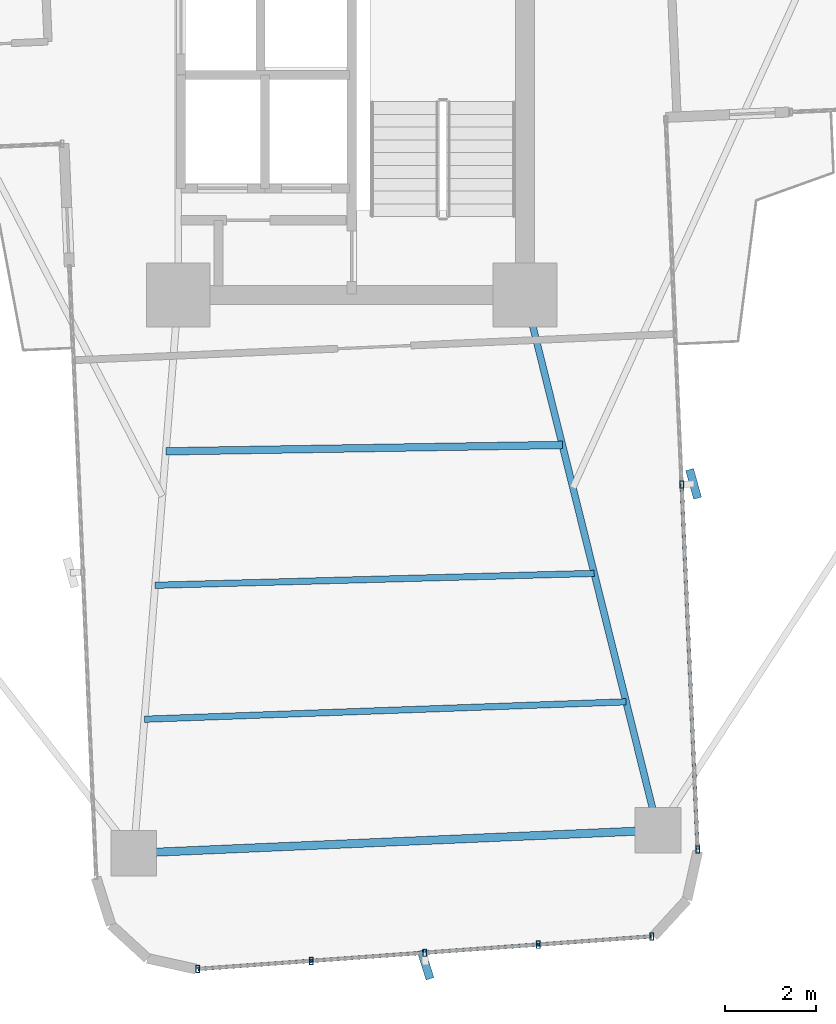
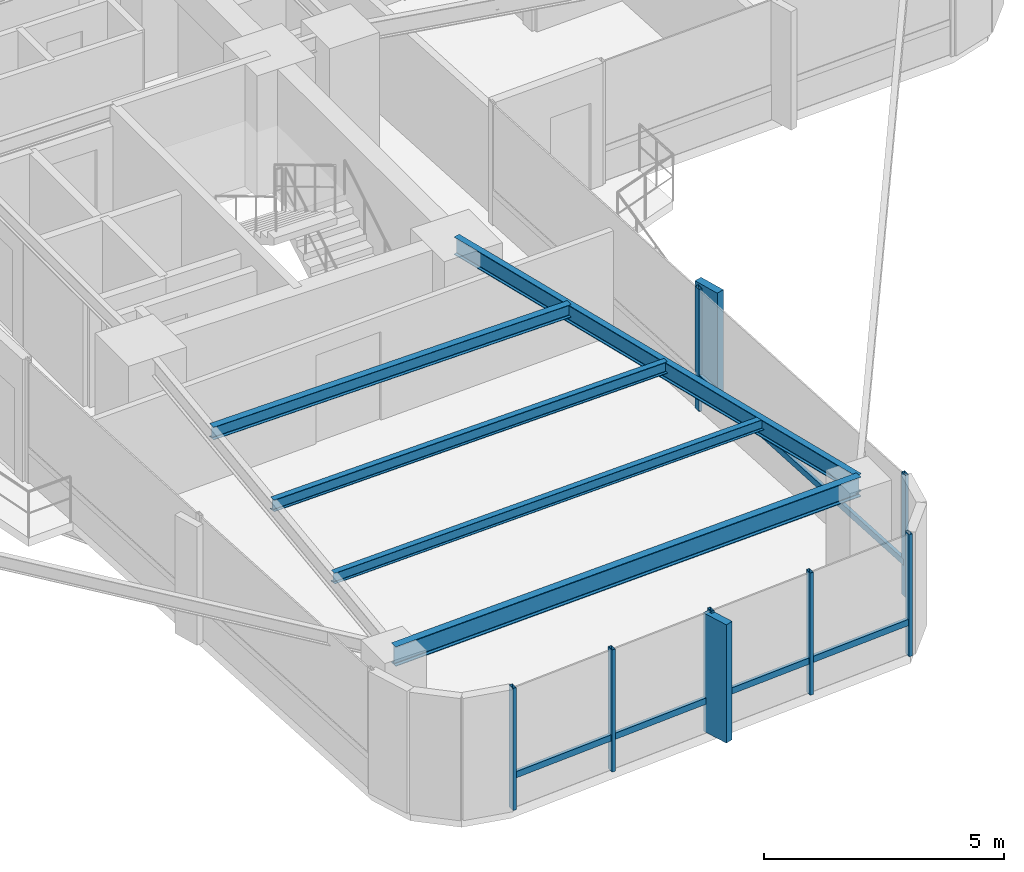
# One storey, part 6 of 26: 14 members, 5 beams, 2 elements without a shape of their own.
"""IFC4 building model written with IfcOpenShell, lengths in metres."""

from ifc_helpers import new_model, si_unit, direction, frame, origin, origin_2d, place, context, subcontext, project, spatial, rectangle, hollow_rectangle, i_section, extrude, source, transform, mapped, material, material_profile, profile_set, type_object, element, aggregate, save


model = new_model("IFC4")

# Units and contexts
model_context = context("Model", 3, precision=1e-05, world=origin(), true_north=direction((0.0, 1.0)))
body_context = subcontext(model_context, "Body", "Model", "MODEL_VIEW")
ifc_project = project(units=[si_unit("LENGTHUNIT", "METRE"), si_unit("AREAUNIT", "SQUARE_METRE"), si_unit("VOLUMEUNIT", "CUBIC_METRE"), si_unit("PLANEANGLEUNIT", "RADIAN"), si_unit("MASSUNIT", "GRAM", prefix="KILO")], contexts=[model_context])

# Site, building, storey
site_placement = place(None, origin())
site = spatial("IfcSite", under=ifc_project, at=site_placement, CompositionType="ELEMENT")
building_placement = place(site_placement, origin())
building = spatial("IfcBuilding", under=site, at=building_placement, Name="Sahyath Konkavel Grand Hotel", CompositionType="ELEMENT")
storey_placement = place(building_placement, frame((0.0, 0.0, 83.5)))
storey = spatial("IfcBuildingStorey", under=building, at=storey_placement, Name="L22", CompositionType="ELEMENT", Elevation=83.5)

# Beams
ifc_material_1 = material(Name="Steel E350", Category="steel")
ifc_material_profile_1 = material_profile(ifc_material_1, i_section(OverallWidth=0.14990234375, OverallDepth=0.449951171875, WebThickness=0.009521484375, FlangeThickness=0.017333984375, FilletRadius=0.014892578125, at=origin_2d()), Name="ISMB 450")
ifc_profile_set_1 = profile_set([ifc_material_profile_1], Name="Steel E350")
beam_type_1 = type_object("IfcBeamType", Name="BM-ISMB450", PredefinedType="BEAM", material=ifc_profile_set_1)
shared_shape_1 = source(origin(), body_context, "Body", "SweptSolid", [
    extrude(i_section(OverallWidth=0.14990234375, OverallDepth=0.449951171875, WebThickness=0.009521484375, FlangeThickness=0.017333984375, FilletRadius=0.014892578125, at=origin_2d()), origin(), (0.0, 0.0, 1.0), 12.084228515625),
])
beam_1_placement = place(storey_placement, frame((3.800048828125, -10.199951171875, 2.885009765625), z_axis=(0.241042688481, -0.970514514229, 0.0), x_axis=(0.970514514229, 0.241042688481, 0.0)))
element("IfcBeam", 1, at=beam_1_placement, inside=storey, type_object=beam_type_1, Name="L22 Cruciform Radial Girder SB", PredefinedType="BEAM", context=body_context, shape_type="MappedRepresentation", body=[
    mapped(shared_shape_1, transform((0.0, 0.0, 0.0), scale=1.0)),
])
ifc_material_profile_2 = material_profile(ifc_material_1, i_section(OverallWidth=0.179931640625, OverallDepth=0.5, WebThickness=0.01025390625, FlangeThickness=0.01708984375, FilletRadius=0.01708984375, at=origin_2d()), Name="ISMB 500")
ifc_profile_set_2 = profile_set([ifc_material_profile_2], Name="Steel E350")
beam_type_2 = type_object("IfcBeamType", Name="BM-ISMB500", PredefinedType="BEAM", material=ifc_profile_set_2)
shared_shape_2 = source(origin(), body_context, "Body", "SweptSolid", [
    extrude(i_section(OverallWidth=0.179931640625, OverallDepth=0.5, WebThickness=0.01025390625, FlangeThickness=0.01708984375, FilletRadius=0.01708984375, at=origin_2d()), origin(), (0.0, 0.0, 1.0), 11.5),
])
beam_2_placement = place(storey_placement, frame((-4.776123046875, -22.4296875, 2.860107421875), z_axis=(0.99904788879, 0.043627008892, 0.0), x_axis=(-0.043627008892, 0.99904788879, 0.0)))
element("IfcBeam", 2, at=beam_2_placement, inside=storey, type_object=beam_type_2, Name="L22 Wing Tip Edge Beam S", PredefinedType="BEAM", context=body_context, shape_type="MappedRepresentation", body=[
    mapped(shared_shape_2, transform((0.0, 0.0, 0.0), scale=1.0)),
])
ifc_material_profile_3 = material_profile(ifc_material_1, i_section(OverallWidth=0.1650390625, OverallDepth=0.324951171875, WebThickness=0.007080078125, FlangeThickness=0.009765625, FilletRadius=0.014892578125, at=origin_2d()), Name="ISLB 325")
ifc_profile_set_3 = profile_set([ifc_material_profile_3], Name="Steel E350")
beam_type_3 = type_object("IfcBeamType", Name="BM-ISLB325", PredefinedType="BEAM", material=ifc_profile_set_3)
shared_shape_3 = source(origin(), body_context, "Body", "SweptSolid", [
    extrude(i_section(OverallWidth=0.1650390625, OverallDepth=0.324951171875, WebThickness=0.007080078125, FlangeThickness=0.009765625, FilletRadius=0.014892578125, at=origin_2d()), origin(), (0.0, 0.0, 1.0), 8.68994140625),
])
beam_3_placement = place(storey_placement, frame((-4.0732421875, -13.624267578125, 2.947509765625), z_axis=(0.999869506431, 0.016154569283, 0.0), x_axis=(-0.016154569283, 0.999869506431, 0.0)))
element("IfcBeam", 3, at=beam_3_placement, inside=storey, type_object=beam_type_3, Name="L22 Secondary Floor Beam S-1", PredefinedType="BEAM", context=body_context, shape_type="MappedRepresentation", body=[
    mapped(shared_shape_3, transform((0.0, 0.0, 0.0), scale=1.0)),
])
ifc_material_profile_4 = material_profile(ifc_material_1, i_section(OverallWidth=0.139892578125, OverallDepth=0.300048828125, WebThickness=0.0078125, FlangeThickness=0.01318359375, FilletRadius=0.013916015625, at=origin_2d()), Name="ISMB 300")
ifc_profile_set_4 = profile_set([ifc_material_profile_4], Name="Steel E350")
beam_type_4 = type_object("IfcBeamType", Name="BM-ISMB300", PredefinedType="BEAM", material=ifc_profile_set_4)
shared_shape_4 = source(origin(), body_context, "Body", "SweptSolid", [
    extrude(i_section(OverallWidth=0.139892578125, OverallDepth=0.300048828125, WebThickness=0.0078125, FlangeThickness=0.01318359375, FilletRadius=0.013916015625, at=origin_2d()), origin(), (0.0, 0.0, 1.0), 9.625732421875),
])
beam_4_placement = place(storey_placement, frame((-4.3076171875, -16.559326171875, 2.9599609375), z_axis=(0.999633060528, 0.027087714933, 0.0), x_axis=(-0.027087714933, 0.999633060528, 0.0)))
element("IfcBeam", 4, at=beam_4_placement, inside=storey, type_object=beam_type_4, Name="L22 Secondary Floor Beam S-2", PredefinedType="BEAM", context=body_context, shape_type="MappedRepresentation", body=[
    mapped(shared_shape_4, transform((0.0, 0.0, 0.0), scale=1.0)),
])
ifc_material_profile_5 = material_profile(ifc_material_1, i_section(OverallWidth=0.139892578125, OverallDepth=0.27490234375, WebThickness=0.00634765625, FlangeThickness=0.0087890625, FilletRadius=0.012939453125, at=origin_2d()), Name="ISLB 275")
ifc_profile_set_5 = profile_set([ifc_material_profile_5], Name="Steel E350")
beam_type_5 = type_object("IfcBeamType", Name="BM-ISLB275", PredefinedType="BEAM", material=ifc_profile_set_5)
shared_shape_5 = source(origin(), body_context, "Body", "SweptSolid", [
    extrude(i_section(OverallWidth=0.139892578125, OverallDepth=0.27490234375, WebThickness=0.00634765625, FlangeThickness=0.0087890625, FilletRadius=0.012939453125, at=origin_2d()), origin(), (0.0, 0.0, 1.0), 10.562744140625),
])
beam_5_placement = place(storey_placement, frame((-4.5419921875, -19.49462890625, 2.972412109375), z_axis=(0.999348077295, 0.036102914095, 0.0), x_axis=(-0.036102914095, 0.999348077295, 0.0)))
element("IfcBeam", 5, at=beam_5_placement, inside=storey, type_object=beam_type_5, Name="L22 Secondary Floor Beam S-3", PredefinedType="BEAM", context=body_context, shape_type="MappedRepresentation", body=[
    mapped(shared_shape_5, transform((0.0, 0.0, 0.0), scale=1.0)),
])

# Curtain wall, member
ifc_material_2 = material(Name="Anodised Bronze Aluminium & Low-E Glazing", Category="aluminium")
curtain_wall_type = type_object("IfcCurtainWallType", Name="CW-ZONE2", PredefinedType="NOTDEFINED", material=ifc_material_2)
curtain_wall_1_placement = place(storey_placement, origin())
curtain_wall_1 = element("IfcCurtainWall", 6, at=curtain_wall_1_placement, inside=storey, type_object=curtain_wall_type, Name="L22 Unitised Curtain Wall F28", PredefinedType="NOTDEFINED")
ifc_material_3 = material(Name="Warm Buff Sandstone Cladding on Concrete C50/60", Category="masonry")
ifc_material_profile_6 = material_profile(ifc_material_3, rectangle(XDim=0.179931640625, YDim=0.64990234375, at=origin_2d()), Name="FIN 180x650")
ifc_profile_set_6 = profile_set([ifc_material_profile_6], Name="Warm Buff Sandstone Cladding on Concrete C50/60")
member_type_1 = type_object("IfcMemberType", Name="FIN-SANDSTONE-650", PredefinedType="MULLION", material=ifc_profile_set_6)
shared_shape_6 = source(origin(), body_context, "Body", "SweptSolid", [
    extrude(rectangle(XDim=0.179931640625, YDim=0.64990234375, at=origin_2d()), origin(), (0.0, 0.0, 1.0), 3.010009765625),
])
member_1_placement = place(storey_placement, frame((1.61865234375, -24.872314453125, 0.050048828125), z_axis=(0.0, 0.0, 1.0), x_axis=(0.954448865814, 0.298374534012, 0.0)))
member_1 = element("IfcMember", 7, at=member_1_placement, type_object=member_type_1, Name="L22 Sandstone Vertical Solar Fin FIN F28-2", PredefinedType="MULLION", context=body_context, shape_type="MappedRepresentation", body=[
    mapped(shared_shape_6, transform((0.0, 0.0, 0.0), scale=1.0)),
])

curtain_wall_2_placement = place(storey_placement, origin())
curtain_wall_2 = element("IfcCurtainWall", 8, at=curtain_wall_2_placement, inside=storey, type_object=curtain_wall_type, Name="L22 Unitised Curtain Wall F31", PredefinedType="NOTDEFINED")
member_2_placement = place(storey_placement, frame((7.492431640625, -14.3369140625, 0.050048828125), z_axis=(0.0, 0.0, 1.0), x_axis=(0.962974590644, 0.269592169347, 0.0)))
member_2 = element("IfcMember", 9, at=member_2_placement, type_object=member_type_1, Name="L22 Sandstone Vertical Solar Fin FIN F31-1", PredefinedType="MULLION", context=body_context, shape_type="MappedRepresentation", body=[
    mapped(shared_shape_6, transform((0.0, 0.0, 0.0), scale=1.0)),
])

# Member
ifc_material_4 = material(Name="Anodised Bronze Aluminium", Category="aluminium")
ifc_material_profile_7 = material_profile(ifc_material_4, hollow_rectangle(XDim=0.080078125, YDim=0.159912109375, WallThickness=0.006103515625, at=origin_2d()), Name="RHS 160x80x6")
ifc_profile_set_7 = profile_set([ifc_material_profile_7], Name="Anodised Bronze Aluminium")
member_type_2 = type_object("IfcMemberType", Name="CW-MUL-160", PredefinedType="MULLION", material=ifc_profile_set_7)
shared_shape_7 = source(origin(), body_context, "Body", "SweptSolid", [
    extrude(hollow_rectangle(XDim=0.080078125, YDim=0.159912109375, WallThickness=0.006103515625, at=origin_2d()), origin(), (0.0, 0.0, 1.0), 3.110107421875),
])
member_3_placement = place(storey_placement, frame((-3.3740234375, -24.9697265625, 0.0), z_axis=(0.0, 0.0, 1.0), x_axis=(1.0, 0.0, 0.0)))
member_3 = element("IfcMember", 10, at=member_3_placement, type_object=member_type_2, Name="L22 Curtain Wall Mullion F28-0", PredefinedType="MULLION", context=body_context, shape_type="MappedRepresentation", body=[
    mapped(shared_shape_7, transform((0.0, 0.0, 0.0), scale=1.0)),
])

member_4_placement = place(storey_placement, frame((-0.886962890625, -24.79150390625, 0.0), z_axis=(0.0, 0.0, 1.0), x_axis=(1.0, 0.0, 0.0)))
member_4 = element("IfcMember", 11, at=member_4_placement, type_object=member_type_2, Name="L22 Curtain Wall Mullion F28-1", PredefinedType="MULLION", context=body_context, shape_type="MappedRepresentation", body=[
    mapped(shared_shape_7, transform((0.0, 0.0, 0.0), scale=1.0)),
])

member_5_placement = place(storey_placement, frame((1.60009765625, -24.61279296875, 0.0), z_axis=(0.0, 0.0, 1.0), x_axis=(1.0, 0.0, 0.0)))
member_5 = element("IfcMember", 12, at=member_5_placement, type_object=member_type_2, Name="L22 Curtain Wall Mullion F28-2", PredefinedType="MULLION", context=body_context, shape_type="MappedRepresentation", body=[
    mapped(shared_shape_7, transform((0.0, 0.0, 0.0), scale=1.0)),
])

member_6_placement = place(storey_placement, frame((4.087158203125, -24.4345703125, 0.0), z_axis=(0.0, 0.0, 1.0), x_axis=(1.0, 0.0, 0.0)))
member_6 = element("IfcMember", 13, at=member_6_placement, type_object=member_type_2, Name="L22 Curtain Wall Mullion F28-3", PredefinedType="MULLION", context=body_context, shape_type="MappedRepresentation", body=[
    mapped(shared_shape_7, transform((0.0, 0.0, 0.0), scale=1.0)),
])

member_7_placement = place(storey_placement, frame((6.57421875, -24.256103515625, 0.0), z_axis=(0.0, 0.0, 1.0), x_axis=(1.0, 0.0, 0.0)))
member_7 = element("IfcMember", 14, at=member_7_placement, type_object=member_type_2, Name="L22 Curtain Wall Mullion F28-4", PredefinedType="MULLION", context=body_context, shape_type="MappedRepresentation", body=[
    mapped(shared_shape_7, transform((0.0, 0.0, 0.0), scale=1.0)),
])

member_8_placement = place(storey_placement, frame((7.582275390625, -22.3505859375, 0.0), z_axis=(0.0, 0.0, 1.0), x_axis=(1.0, 0.0, 0.0)))
member_8 = element("IfcMember", 15, at=member_8_placement, type_object=member_type_2, Name="L22 Curtain Wall Mullion F31-0", PredefinedType="MULLION", context=body_context, shape_type="MappedRepresentation", body=[
    mapped(shared_shape_7, transform((0.0, 0.0, 0.0), scale=1.0)),
])

member_9_placement = place(storey_placement, frame((7.232666015625, -14.34814453125, 0.0), z_axis=(0.0, 0.0, 1.0), x_axis=(1.0, 0.0, 0.0)))
member_9 = element("IfcMember", 16, at=member_9_placement, type_object=member_type_2, Name="L22 Curtain Wall Mullion F31-1", PredefinedType="MULLION", context=body_context, shape_type="MappedRepresentation", body=[
    mapped(shared_shape_7, transform((0.0, 0.0, 0.0), scale=1.0)),
])

ifc_material_profile_8 = material_profile(ifc_material_4, hollow_rectangle(XDim=0.080078125, YDim=0.159912109375, WallThickness=0.006103515625, at=origin_2d()), Name="RHS 160x80x6")
ifc_profile_set_8 = profile_set([ifc_material_profile_8], Name="Anodised Bronze Aluminium")
member_type_3 = type_object("IfcMemberType", Name="CW-TRN-160", PredefinedType="USERDEFINED", material=ifc_profile_set_8)
shared_shape_8 = source(origin(), body_context, "Body", "SweptSolid", [
    extrude(hollow_rectangle(XDim=0.080078125, YDim=0.159912109375, WallThickness=0.006103515625, at=origin_2d()), origin(), (0.0, 0.0, 1.0), 2.493408203125),
])
member_10_placement = place(storey_placement, frame((-3.3740234375, -24.9697265625, 0.85009765625), z_axis=(0.997442271688, 0.071476672066, 0.0), x_axis=(-0.071476672066, 0.997442271688, 0.0)))
member_10 = element("IfcMember", 17, at=member_10_placement, type_object=member_type_3, Name="L22 Curtain Wall Transom F28-0-spandrel", ObjectType="TRANSOM", PredefinedType="USERDEFINED", context=body_context, shape_type="MappedRepresentation", body=[
    mapped(shared_shape_8, transform((0.0, 0.0, 0.0), scale=1.0)),
])

member_11_placement = place(storey_placement, frame((-0.886962890625, -24.79150390625, 0.85009765625), z_axis=(0.997428291631, 0.071671494009, 0.0), x_axis=(-0.071671494009, 0.997428291631, 0.0)))
member_11 = element("IfcMember", 18, at=member_11_placement, type_object=member_type_3, Name="L22 Curtain Wall Transom F28-1-spandrel", ObjectType="TRANSOM", PredefinedType="USERDEFINED", context=body_context, shape_type="MappedRepresentation", body=[
    mapped(shared_shape_8, transform((0.0, 0.0, 0.0), scale=1.0)),
])

member_12_placement = place(storey_placement, frame((1.60009765625, -24.61279296875, 0.85009765625), z_axis=(0.997442271688, 0.071476672066, 0.0), x_axis=(-0.071476672066, 0.997442271688, 0.0)))
member_12 = element("IfcMember", 19, at=member_12_placement, type_object=member_type_3, Name="L22 Curtain Wall Transom F28-2-spandrel", ObjectType="TRANSOM", PredefinedType="USERDEFINED", context=body_context, shape_type="MappedRepresentation", body=[
    mapped(shared_shape_8, transform((0.0, 0.0, 0.0), scale=1.0)),
])

member_13_placement = place(storey_placement, frame((4.087158203125, -24.4345703125, 0.85009765625), z_axis=(0.997435286367, 0.071574084062, 0.0), x_axis=(-0.071574084062, 0.997435286367, 0.0)))
member_13 = element("IfcMember", 20, at=member_13_placement, type_object=member_type_3, Name="L22 Curtain Wall Transom F28-3-spandrel", ObjectType="TRANSOM", PredefinedType="USERDEFINED", context=body_context, shape_type="MappedRepresentation", body=[
    mapped(shared_shape_8, transform((0.0, 0.0, 0.0), scale=1.0)),
])

aggregate(curtain_wall_1, [member_3, member_4, member_5, member_1, member_6, member_7, member_10, member_11, member_12, member_13])

shared_shape_9 = source(origin(), body_context, "Body", "SweptSolid", [
    extrude(hollow_rectangle(XDim=0.080078125, YDim=0.159912109375, WallThickness=0.006103515625, at=origin_2d()), origin(), (0.0, 0.0, 1.0), 8.010009765625),
])
member_14_placement = place(storey_placement, frame((7.582275390625, -22.3505859375, 0.85009765625), z_axis=(-0.043646207089, 0.999047050247, 0.0), x_axis=(-0.999047050247, -0.043646207089, 0.0)))
member_14 = element("IfcMember", 21, at=member_14_placement, type_object=member_type_3, Name="L22 Curtain Wall Transom F31-0-spandrel", ObjectType="TRANSOM", PredefinedType="USERDEFINED", context=body_context, shape_type="MappedRepresentation", body=[
    mapped(shared_shape_9, transform((0.0, 0.0, 0.0), scale=1.0)),
])

aggregate(curtain_wall_2, [member_8, member_9, member_2, member_14])

save(model, "model.ifc")
